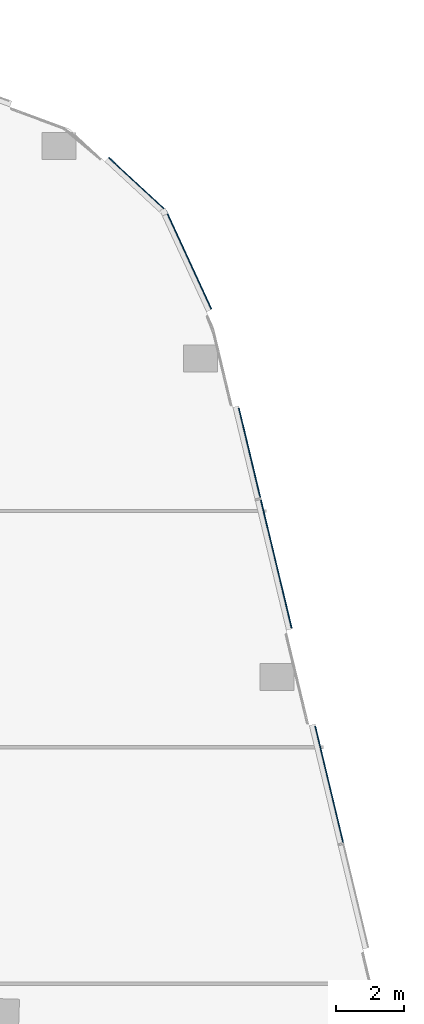
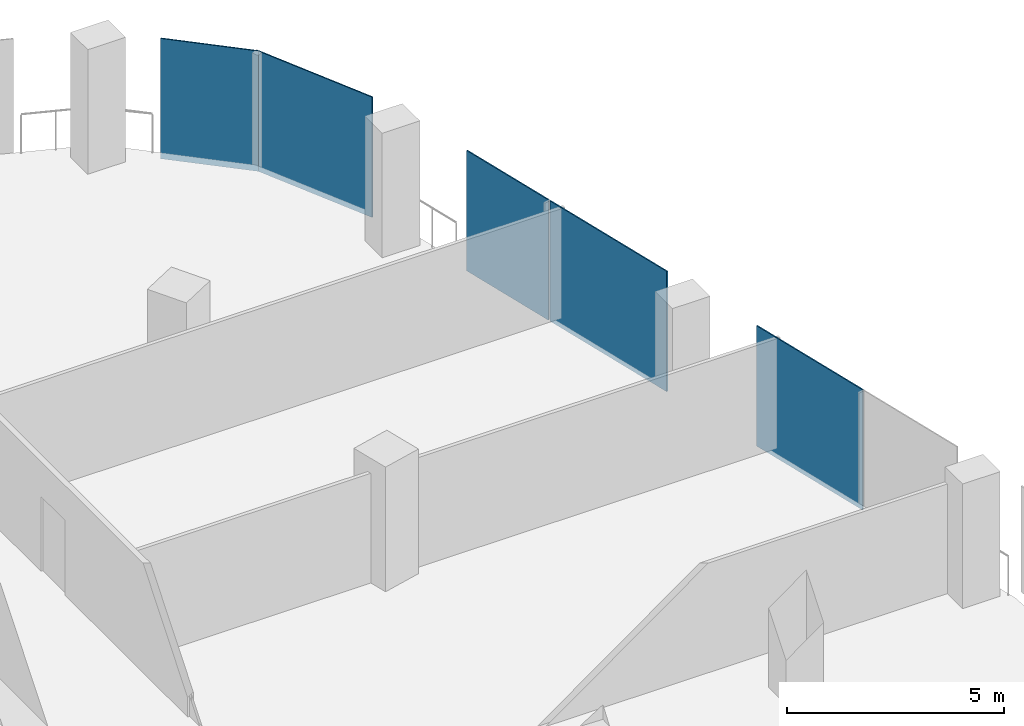
# One storey, part 15 of 24: 5 plates, 3 elements without a shape of their own.
"""IFC4 building model written with IfcOpenShell, lengths in metres."""

from ifc_helpers import new_model, si_unit, direction, frame, origin, origin_2d, place, context, subcontext, project, spatial, rectangle, extrude, material, layer, layer_set, type_object, element, aggregate, save


model = new_model("IFC4")

# Units and contexts
model_context = context("Model", 3, precision=1e-05, world=origin(), true_north=direction((0.0, 1.0)))
body_context = subcontext(model_context, "Body", "Model", "MODEL_VIEW")
ifc_project = project(units=[si_unit("LENGTHUNIT", "METRE"), si_unit("AREAUNIT", "SQUARE_METRE"), si_unit("VOLUMEUNIT", "CUBIC_METRE"), si_unit("PLANEANGLEUNIT", "RADIAN"), si_unit("MASSUNIT", "GRAM", prefix="KILO")], contexts=[model_context])

# Site, building, storey
site_placement = place(None, origin())
site = spatial("IfcSite", under=ifc_project, at=site_placement, CompositionType="ELEMENT")
building_placement = place(site_placement, origin())
building = spatial("IfcBuilding", under=site, at=building_placement, Name="Orlundy Tower", CompositionType="ELEMENT")
storey_placement = place(building_placement, frame((0.0, 0.0, 210.5)))
storey = spatial("IfcBuildingStorey", under=building, at=storey_placement, Name="L55", CompositionType="ELEMENT", Elevation=210.5)

# Curtain wall, plate
ifc_material_1 = material(Name="Aluminium bronze anodised", Category="aluminium")
curtain_wall_type = type_object("IfcCurtainWallType", Name="CW1 wall", PredefinedType="NOTDEFINED", material=ifc_material_1)
curtain_wall_1_placement = place(storey_placement, origin())
curtain_wall_1 = element("IfcCurtainWall", 1, at=curtain_wall_1_placement, inside=storey, type_object=curtain_wall_type, Name="CW1 run 09", PredefinedType="NOTDEFINED")
ifc_material_2 = material(Name="Tinted glass", Category="glass")
ifc_layer = layer(ifc_material_2, 0.031982421875)
ifc_layer_set = layer_set([ifc_layer], Name="CW1 glass panel 32")
plate_type = type_object("IfcPlateType", Name="CW1 glass panel 32", PredefinedType="CURTAIN_PANEL", material=ifc_layer_set)
plate_1_placement = place(storey_placement, frame((33.692626953125, 23.6796875, -0.280029296875), z_axis=(0.0, 0.0, 1.0), x_axis=(0.734348182738, -0.678772971258, 0.0)))
plate_1 = element("IfcPlate", 2, at=plate_1_placement, type_object=plate_type, Name="CW1 panel", PredefinedType="CURTAIN_PANEL", context=body_context, shape_type="SweptSolid", body=[
    extrude(rectangle(XDim=2.31103515625, YDim=0.031982421875, at=origin_2d()), origin(), (0.0, 0.0, 1.0), 3.3798828125),
])
aggregate(curtain_wall_1, [plate_1])

curtain_wall_2_placement = place(storey_placement, origin())
curtain_wall_2 = element("IfcCurtainWall", 3, at=curtain_wall_2_placement, inside=storey, type_object=curtain_wall_type, Name="CW1 run 010", PredefinedType="NOTDEFINED")
plate_2_placement = place(storey_placement, frame((35.21240234375, 21.438720703125, -0.280029296875), z_axis=(0.0, 0.0, 1.0), x_axis=(0.418493445182, -0.908219817192, 0.0)))
plate_2 = element("IfcPlate", 4, at=plate_2_placement, type_object=plate_type, Name="CW1 panel", PredefinedType="CURTAIN_PANEL", context=body_context, shape_type="SweptSolid", body=[
    extrude(rectangle(XDim=3.207275390625, YDim=0.031982421875, at=origin_2d()), origin(), (0.0, 0.0, 1.0), 3.3798828125),
])
aggregate(curtain_wall_2, [plate_2])

# Curtain wall, plates
curtain_wall_3_placement = place(storey_placement, origin())
curtain_wall_3 = element("IfcCurtainWall", 5, at=curtain_wall_3_placement, inside=storey, type_object=curtain_wall_type, Name="CW1 run 011", PredefinedType="NOTDEFINED")
plate_3_placement = place(storey_placement, frame((37.017578125, 15.716064453125, -0.280029296875), z_axis=(0.0, 0.0, 1.0), x_axis=(0.233472005748, -0.972363523859, 0.0)))
plate_3 = element("IfcPlate", 6, at=plate_3_placement, type_object=plate_type, Name="CW1 panel", PredefinedType="CURTAIN_PANEL", context=body_context, shape_type="SweptSolid", body=[
    extrude(rectangle(XDim=2.73046875, YDim=0.031982421875, at=origin_2d()), origin(), (0.0, 0.0, 1.0), 3.3798828125),
])
plate_4_placement = place(storey_placement, frame((37.804443359375, 12.43896484375, -0.280029296875), z_axis=(0.0, 0.0, 1.0), x_axis=(0.233472005748, -0.972363523859, 0.0)))
plate_4 = element("IfcPlate", 7, at=plate_4_placement, type_object=plate_type, Name="CW1 panel", PredefinedType="CURTAIN_PANEL", context=body_context, shape_type="SweptSolid", body=[
    extrude(rectangle(XDim=3.91015625, YDim=0.031982421875, at=origin_2d()), origin(), (0.0, 0.0, 1.0), 3.3798828125),
])
plate_5_placement = place(storey_placement, frame((39.374267578125, 5.9013671875, -0.280029296875), z_axis=(0.0, 0.0, 1.0), x_axis=(0.233472005748, -0.972363523859, 0.0)))
plate_5 = element("IfcPlate", 8, at=plate_5_placement, type_object=plate_type, Name="CW1 panel", PredefinedType="CURTAIN_PANEL", context=body_context, shape_type="SweptSolid", body=[
    extrude(rectangle(XDim=3.54345703125, YDim=0.031982421875, at=origin_2d()), origin(), (0.0, 0.0, 1.0), 3.3798828125),
])
aggregate(curtain_wall_3, [plate_3, plate_4, plate_5])

save(model, "model.ifc")
